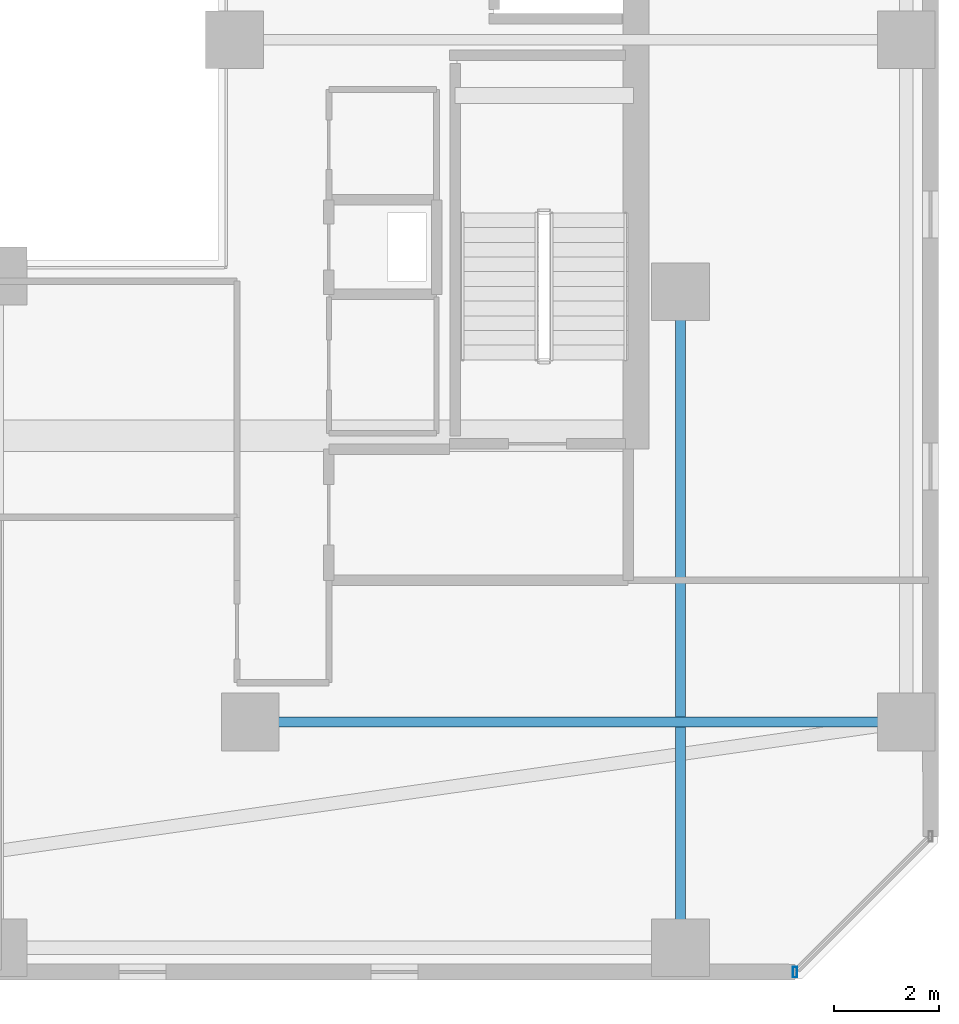
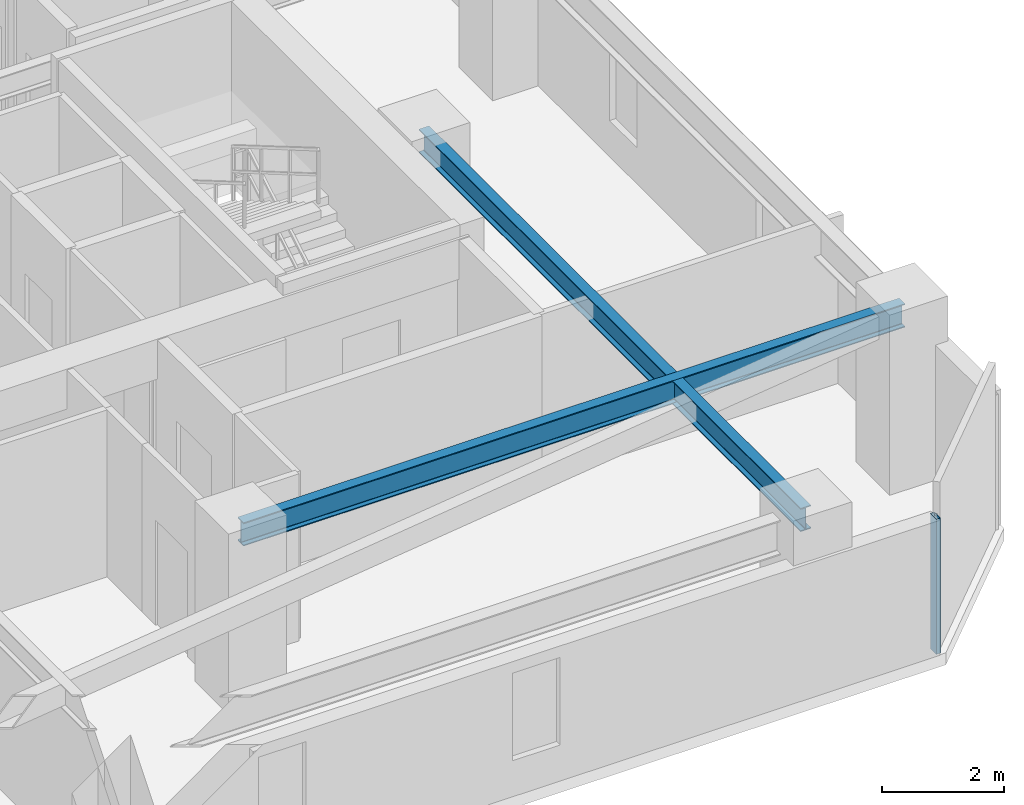
# One storey, part 13 of 33: 2 beams, 1 member, 1 element without a shape of its own.
"""IFC4 building model written with IfcOpenShell, lengths in metres."""

from ifc_helpers import new_model, si_unit, direction, frame, origin, origin_2d, place, context, subcontext, project, spatial, hollow_rectangle, i_section, extrude, material, material_profile, profile_set, type_object, element, aggregate, save


model = new_model("IFC4")

# Units and contexts
model_context = context("Model", 3, precision=1e-05, world=origin(), true_north=direction((0.0, 1.0)))
body_context = subcontext(model_context, "Body", "Model", "MODEL_VIEW")
ifc_project = project(units=[si_unit("LENGTHUNIT", "METRE"), si_unit("AREAUNIT", "SQUARE_METRE"), si_unit("VOLUMEUNIT", "CUBIC_METRE"), si_unit("PLANEANGLEUNIT", "RADIAN"), si_unit("MASSUNIT", "GRAM", prefix="KILO")], contexts=[model_context])

# Site, building, storey
site_placement = place(None, origin())
site = spatial("IfcSite", under=ifc_project, at=site_placement, CompositionType="ELEMENT")
building_placement = place(site_placement, origin())
building = spatial("IfcBuilding", under=site, at=building_placement, Name="Thornwick Lancets Civic Towers", CompositionType="ELEMENT")
storey_placement = place(building_placement, frame((0.0, 0.0, 189.300048828125)))
storey = spatial("IfcBuildingStorey", under=building, at=storey_placement, Name="L50", CompositionType="ELEMENT", Elevation=189.300048828125)

# Beams
ifc_material_1 = material(Name="Steel S355JR", Category="steel")
ifc_material_profile_1 = material_profile(ifc_material_1, i_section(OverallWidth=0.19287109375, OverallDepth=0.46728515625, WebThickness=0.011474609375, FlangeThickness=0.01953125, FilletRadius=0.01025390625, at=origin_2d()), Name="UKB 457x191x98")
ifc_profile_set_1 = profile_set([ifc_material_profile_1], Name="Steel S355JR")
beam_type = type_object("IfcBeamType", Name="BM_JOIST_457_98", PredefinedType="JOIST", material=ifc_profile_set_1)
for number, where, z_axis, x_axis, name in (
    (1, (93.300048828125, 14.0, 3.12646484375), (1.0, 0.0, 0.0), (0.0, 1.0, 0.0), "BM-RADIN-L50-B01"),
    (2, (101.5, 22.199951171875, 3.12646484375), (0.0, -1.0, 0.0), (1.0, 0.0, 0.0), "BM-RADIN-L50-B10"),
):
    element("IfcBeam", number, at=place(storey_placement, frame(where, z_axis=z_axis, x_axis=x_axis)), inside=storey, type_object=beam_type, Name=name, PredefinedType="JOIST", context=body_context, shape_type="SweptSolid", body=[
        extrude(i_section(OverallWidth=0.19287109375, OverallDepth=0.46728515625, WebThickness=0.011474609375, FlangeThickness=0.01953125, FilletRadius=0.01025390625, at=origin_2d()), origin(), (0.0, 0.0, 1.0), 12.5),
    ])

# Curtain wall, member
ifc_material_2 = material(Name="Mid-zone chamfered-corner unitised glass curtain wall", Category="glass")
curtain_wall_type = type_object("IfcCurtainWallType", Name="CW_SYS_04", PredefinedType="NOTDEFINED", material=ifc_material_2)
curtain_wall_placement = place(storey_placement, origin())
curtain_wall = element("IfcCurtainWall", 3, at=curtain_wall_placement, inside=storey, type_object=curtain_wall_type, Name="L50 Curtain Wall CW-L50-B-E1", PredefinedType="NOTDEFINED")
ifc_material_3 = material(Name="Thermally broken bronze aluminium S355", Category="steel")
ifc_material_profile_2 = material_profile(ifc_material_3, hollow_rectangle(XDim=0.080078125, YDim=0.199951171875, WallThickness=0.006103515625, at=origin_2d()), Name="RHS 200x80x6")
ifc_profile_set_2 = profile_set([ifc_material_profile_2], Name="Thermally broken bronze aluminium S355")
member_type = type_object("IfcMemberType", Name="CW_MUL_200", PredefinedType="MULLION", material=ifc_profile_set_2)
member_placement = place(storey_placement, frame((103.681396484375, 9.2353515625, 0.0), z_axis=(0.0, 0.0, 1.0), x_axis=(1.0, 0.0, 0.0)))
member = element("IfcMember", 4, at=member_placement, type_object=member_type, Name="CW-L50-B-E1 Mullion 0", PredefinedType="MULLION", context=body_context, shape_type="SweptSolid", body=[
    extrude(hollow_rectangle(XDim=0.080078125, YDim=0.199951171875, WallThickness=0.006103515625, at=origin_2d()), origin(), (0.0, 0.0, 1.0), 2.699951171875),
])
aggregate(curtain_wall, [member])

save(model, "model.ifc")
